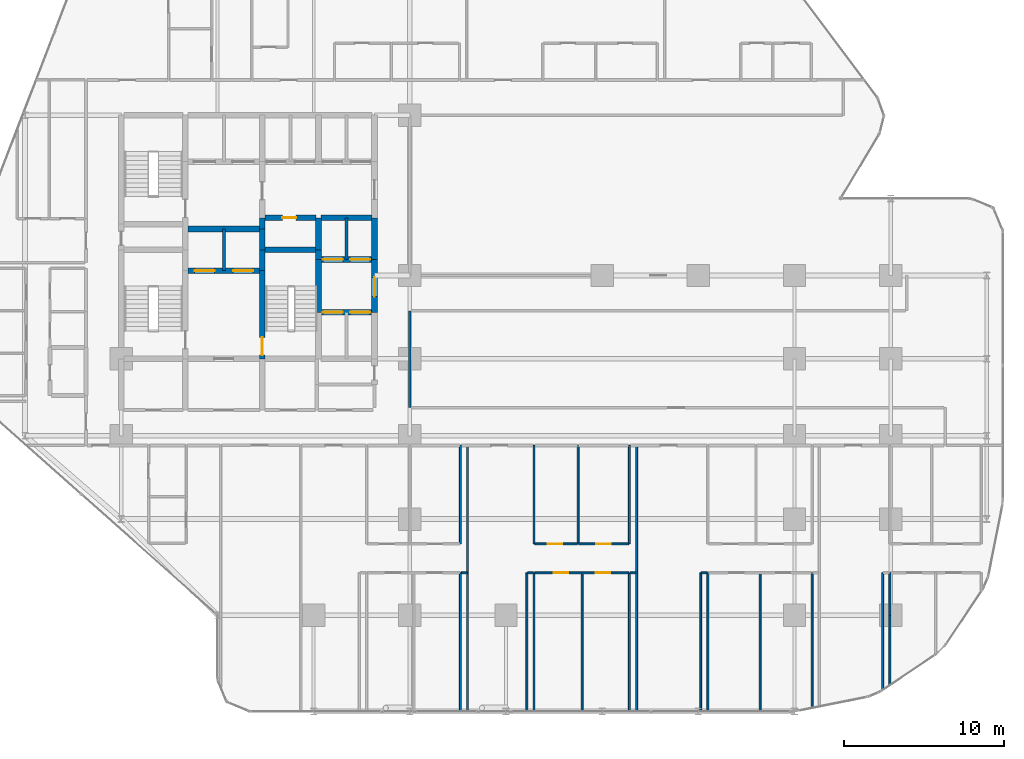
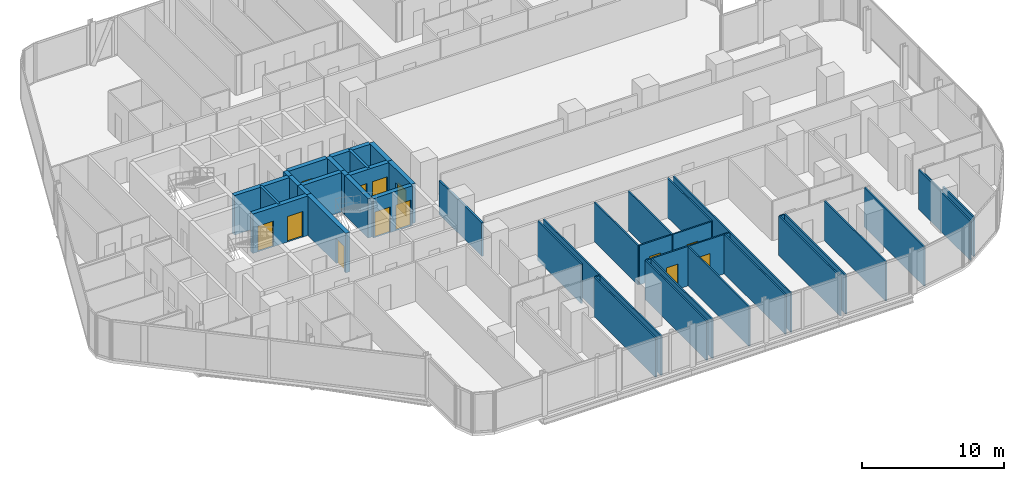
# One storey, part 28 of 33: 44 walls, 13 doors, 13 openings.
"""IFC4 building model written with IfcOpenShell, lengths in metres."""

from ifc_helpers import new_model, si_unit, direction, frame, frame_2d, origin, place, context, subcontext, project, spatial, rectangle, extrude, material, layer, layer_set, type_object, element, fill, save


model = new_model("IFC4")

# Units and contexts
model_context = context("Model", 3, precision=1e-05, world=origin(), true_north=direction((0.0, 1.0)))
body_context = subcontext(model_context, "Body", "Model", "MODEL_VIEW")
ifc_project = project(units=[si_unit("LENGTHUNIT", "METRE"), si_unit("AREAUNIT", "SQUARE_METRE"), si_unit("VOLUMEUNIT", "CUBIC_METRE"), si_unit("PLANEANGLEUNIT", "RADIAN"), si_unit("MASSUNIT", "GRAM", prefix="KILO")], contexts=[model_context])

# Site, building, storey
site_placement = place(None, origin())
site = spatial("IfcSite", under=ifc_project, at=site_placement, CompositionType="ELEMENT")
building_placement = place(site_placement, origin())
building = spatial("IfcBuilding", under=site, at=building_placement, Name="Keshet Zoharim Tower", CompositionType="ELEMENT")
storey_placement = place(building_placement, frame((0.0, 0.0, 42.5)))
storey = spatial("IfcBuildingStorey", under=building, at=storey_placement, Name="L09", CompositionType="ELEMENT", Elevation=42.5)

# Wall
ifc_material_1 = material(Name="Gypsum Plasterboard", Category="gypsum")
ifc_layer_1 = layer(ifc_material_1, 0.14990234375)
ifc_layer_set_1 = layer_set([ifc_layer_1], Name="Gypsum Plasterboard")
wall_type_1 = type_object("IfcWallType", Name="WL-CLIN-150", PredefinedType="STANDARD", material=ifc_layer_set_1)
wall_1_placement = place(storey_placement, frame((33.0, 19.659912109375, 0.0), z_axis=(0.0, 0.0, 1.0), x_axis=(0.0, 1.0, 0.0)))
element("IfcWall", 1, at=wall_1_placement, inside=storey, type_object=wall_type_1, Name="L09 Interior Wall 071", PredefinedType="STANDARD", context=body_context, shape_type="SweptSolid", body=[
    extrude(rectangle(XDim=6.030029296875, YDim=0.14990234375, at=frame_2d((3.01513671875, 0.0))), origin(), (0.0, 0.0, 1.0), 2.885009765625),
])

# Wall, opening, door
ifc_material_2 = material(Name="Concrete C60/75", Category="concrete")
ifc_layer_2 = layer(ifc_material_2, 0.35009765625)
ifc_layer_set_2 = layer_set([ifc_layer_2], Name="Concrete C60/75")
wall_type_2 = type_object("IfcWallType", Name="WL-CORE-350", PredefinedType="SHEAR", material=ifc_layer_set_2)
wall_2_placement = place(storey_placement, frame((23.800048828125, 22.699951171875, 0.0), z_axis=(0.0, 0.0, 1.0), x_axis=(0.0, 1.0, 0.0)))
wall_2 = element("IfcWall", 2, at=wall_2_placement, inside=storey, type_object=wall_type_2, Name="L09 Core Shear Wall 036", PredefinedType="SHEAR", context=body_context, shape_type="SweptSolid", body=[
    extrude(rectangle(XDim=5.5, YDim=0.35009765625, at=frame_2d((2.75, 0.0))), origin(), (0.0, 0.0, 1.0), 3.385009765625),
])
opening_1_placement = place(wall_2_placement, frame((0.235107421875, 0.0, 0.0)))
opening_1 = element("IfcOpeningElement", 3, at=opening_1_placement, cuts=wall_2, Name="Opening D-F611", PredefinedType="OPENING", context=body_context, shape_type="SweptSolid", body=[
    extrude(rectangle(XDim=1.10009765625, YDim=2.14990234375, at=frame_2d((0.550048828125, 1.074951171875))), frame((0.0, 0.18505859375, 0.0), z_axis=(0.0, -1.0, 0.0), x_axis=(1.0, 0.0, 0.0)), (0.0, 0.0, 1.0), 0.3701171875),
])
ifc_material_3 = material(Name="Hardwood Timber", Category="wood")
door_type_1 = type_object("IfcDoorType", Name="DR-FD60-110", OperationType="NOTDEFINED", PredefinedType="DOOR", material=ifc_material_3)
door_1_placement = place(opening_1_placement, frame((1.10009765625, 0.0, 0.0), z_axis=(0.0, 0.0, 1.0), x_axis=(-1.0, 0.0, 0.0)))
door_1 = element("IfcDoor", 4, at=door_1_placement, inside=storey, type_object=door_type_1, Name="L09 Exit Stair ST-03 Fire Door", OperationType="SINGLE_SWING_LEFT", OverallHeight=2.14990234375, OverallWidth=1.10009765625, PredefinedType="DOOR", context=body_context, shape_type="SweptSolid", body=[
    extrude(rectangle(XDim=1.10009765625, YDim=2.14990234375, at=frame_2d((0.550048828125, 1.074951171875))), frame((0.0, 0.02490234375, 0.0), z_axis=(0.0, -1.0, 0.0), x_axis=(1.0, 0.0, 0.0)), (0.0, 0.0, 1.0), 0.050048828125),
])
fill(opening_1, door_1)

# Walls
for number, where, z_axis, x_axis, name in (
    (5, (23.800048828125, 28.199951171875, 0.0), (0.0, 0.0, 1.0), (0.0, 1.0, 0.0), "L09 Core Shear Wall 037"),
    (6, (23.800048828125, 29.5, 0.0), (0.0, 0.0, 1.0), (0.0, 1.0, 0.0), "L09 Core Shear Wall 038"),
):
    element("IfcWall", number, at=place(storey_placement, frame(where, z_axis=z_axis, x_axis=x_axis)), inside=storey, type_object=wall_type_2, Name=name, PredefinedType="SHEAR", context=body_context, shape_type="SweptSolid", body=[
        extrude(rectangle(XDim=1.300048828125, YDim=0.35009765625, at=frame_2d((0.64990234375, 0.0))), origin(), (0.0, 0.0, 1.0), 3.385009765625),
    ])
wall_3_placement = place(storey_placement, frame((23.800048828125, 30.800048828125, 0.0), z_axis=(0.0, 0.0, 1.0), x_axis=(0.0, 1.0, 0.0)))
element("IfcWall", 7, at=wall_3_placement, inside=storey, type_object=wall_type_2, Name="L09 Core Shear Wall 039", PredefinedType="SHEAR", context=body_context, shape_type="SweptSolid", body=[
    extrude(rectangle(XDim=0.699951171875, YDim=0.35009765625, at=frame_2d((0.35009765625, 0.0))), origin(), (0.0, 0.0, 1.0), 3.385009765625),
])
wall_4_placement = place(storey_placement, frame((27.300048828125, 25.60009765625, 0.0), z_axis=(0.0, 0.0, 1.0), x_axis=(0.0, 1.0, 0.0)))
element("IfcWall", 8, at=wall_4_placement, inside=storey, type_object=wall_type_2, Name="L09 Core Shear Wall 048", PredefinedType="SHEAR", context=body_context, shape_type="SweptSolid", body=[
    extrude(rectangle(XDim=3.2998046875, YDim=0.35009765625, at=frame_2d((1.64990234375, 0.0))), origin(), (0.0, 0.0, 1.0), 3.385009765625),
])
wall_5_placement = place(storey_placement, frame((27.300048828125, 28.89990234375, 0.0), z_axis=(0.0, 0.0, 1.0), x_axis=(0.0, 1.0, 0.0)))
element("IfcWall", 9, at=wall_5_placement, inside=storey, type_object=wall_type_2, Name="L09 Core Shear Wall 049", PredefinedType="SHEAR", context=body_context, shape_type="SweptSolid", body=[
    extrude(rectangle(XDim=0.60009765625, YDim=0.35009765625, at=frame_2d((0.300048828125, 0.0))), origin(), (0.0, 0.0, 1.0), 3.385009765625),
])
wall_6_placement = place(storey_placement, frame((27.300048828125, 29.5, 0.0), z_axis=(0.0, 0.0, 1.0), x_axis=(0.0, 1.0, 0.0)))
element("IfcWall", 10, at=wall_6_placement, inside=storey, type_object=wall_type_2, Name="L09 Core Shear Wall 050", PredefinedType="SHEAR", context=body_context, shape_type="SweptSolid", body=[
    extrude(rectangle(XDim=2.0, YDim=0.35009765625, at=frame_2d((1.0, 0.0))), origin(), (0.0, 0.0, 1.0), 3.385009765625),
])

# Wall, opening, door
wall_7_placement = place(storey_placement, frame((30.800048828125, 25.60009765625, 0.0), z_axis=(0.0, 0.0, 1.0), x_axis=(0.0, 1.0, 0.0)))
wall_7 = element("IfcWall", 11, at=wall_7_placement, inside=storey, type_object=wall_type_2, Name="L09 Core Shear Wall 064", PredefinedType="SHEAR", context=body_context, shape_type="SweptSolid", body=[
    extrude(rectangle(XDim=3.2998046875, YDim=0.35009765625, at=frame_2d((1.64990234375, 0.0))), origin(), (0.0, 0.0, 1.0), 3.385009765625),
])
opening_2_placement = place(wall_7_placement, frame((0.97802734375, 0.0, 0.0)))
opening_2 = element("IfcOpeningElement", 12, at=opening_2_placement, cuts=wall_7, Name="Opening D-F612", PredefinedType="OPENING", context=body_context, shape_type="SweptSolid", body=[
    extrude(rectangle(XDim=1.199951171875, YDim=2.199951171875, at=frame_2d((0.60009765625, 1.10009765625))), frame((0.0, 0.18505859375, 0.0), z_axis=(0.0, -1.0, 0.0), x_axis=(1.0, 0.0, 0.0)), (0.0, 0.0, 1.0), 0.3701171875),
])
door_type_2 = type_object("IfcDoorType", Name="DR-FD60-120", OperationType="NOTDEFINED", PredefinedType="DOOR", material=ifc_material_3)
door_2_placement = place(opening_2_placement, origin())
door_2 = element("IfcDoor", 13, at=door_2_placement, inside=storey, type_object=door_type_2, Name="L09 East Lift Lobby Fire Door", OperationType="SINGLE_SWING_RIGHT", OverallHeight=2.199951171875, OverallWidth=1.199951171875, PredefinedType="DOOR", context=body_context, shape_type="SweptSolid", body=[
    extrude(rectangle(XDim=1.199951171875, YDim=2.199951171875, at=frame_2d((0.60009765625, 1.10009765625))), frame((0.0, 0.02490234375, 0.0), z_axis=(0.0, -1.0, 0.0), x_axis=(1.0, 0.0, 0.0)), (0.0, 0.0, 1.0), 0.050048828125),
])
fill(opening_2, door_2)

# Wall
wall_8_placement = place(storey_placement, frame((30.800048828125, 28.89990234375, 0.0), z_axis=(0.0, 0.0, 1.0), x_axis=(0.0, 1.0, 0.0)))
element("IfcWall", 14, at=wall_8_placement, inside=storey, type_object=wall_type_2, Name="L09 Core Shear Wall 065", PredefinedType="SHEAR", context=body_context, shape_type="SweptSolid", body=[
    extrude(rectangle(XDim=2.60009765625, YDim=0.35009765625, at=frame_2d((1.300048828125, 0.0))), origin(), (0.0, 0.0, 1.0), 3.385009765625),
])

# Wall, openings, doors
wall_9_placement = place(storey_placement, frame((27.4599609375, 25.60009765625, 0.0), z_axis=(0.0, 0.0, 1.0), x_axis=(1.0, 0.0, 0.0)))
wall_9 = element("IfcWall", 15, at=wall_9_placement, inside=storey, type_object=wall_type_2, Name="L09 Core Shear Wall 175", PredefinedType="SHEAR", context=body_context, shape_type="SweptSolid", body=[
    extrude(rectangle(XDim=3.179931640625, YDim=0.35009765625, at=frame_2d((1.58984375, 0.0))), origin(), (0.0, 0.0, 1.0), 3.385009765625),
])
opening_3_placement = place(wall_9_placement, frame((0.1201171875, 0.0, 0.0)))
opening_3 = element("IfcOpeningElement", 16, at=opening_3_placement, cuts=wall_9, Name="Opening LD-01", PredefinedType="OPENING", context=body_context, shape_type="SweptSolid", body=[
    extrude(rectangle(XDim=1.25, YDim=2.199951171875, at=frame_2d((0.625, 1.10009765625))), frame((0.0, 0.18505859375, 0.0), z_axis=(0.0, -1.0, 0.0), x_axis=(1.0, 0.0, 0.0)), (0.0, 0.0, 1.0), 0.3701171875),
])
opening_4_placement = place(wall_9_placement, frame((1.81005859375, 0.0, 0.0)))
opening_4 = element("IfcOpeningElement", 17, at=opening_4_placement, cuts=wall_9, Name="Opening LD-01", PredefinedType="OPENING", context=body_context, shape_type="SweptSolid", body=[
    extrude(rectangle(XDim=1.25, YDim=2.199951171875, at=frame_2d((0.625, 1.10009765625))), frame((0.0, 0.18505859375, 0.0), z_axis=(0.0, -1.0, 0.0), x_axis=(1.0, 0.0, 0.0)), (0.0, 0.0, 1.0), 0.3701171875),
])
ifc_material_4 = material(Name="Steel S355", Category="steel")
door_type_3 = type_object("IfcDoorType", Name="DR-LD01-125", OperationType="DOUBLE_DOOR_SLIDING", PredefinedType="DOOR", material=ifc_material_4)
door_3_placement = place(opening_3_placement, origin())
door_3 = element("IfcDoor", 18, at=door_3_placement, inside=storey, type_object=door_type_3, Name="L09 Passenger Lift Landing Door LF-07", OperationType="DOUBLE_DOOR_SLIDING", OverallHeight=2.199951171875, OverallWidth=1.25, PredefinedType="DOOR", context=body_context, shape_type="SweptSolid", body=[
    extrude(rectangle(XDim=1.25, YDim=2.199951171875, at=frame_2d((0.625, 1.10009765625))), frame((0.0, 0.02490234375, 0.0), z_axis=(0.0, -1.0, 0.0), x_axis=(1.0, 0.0, 0.0)), (0.0, 0.0, 1.0), 0.050048828125),
])
fill(opening_3, door_3)
door_4_placement = place(opening_4_placement, origin())
door_4 = element("IfcDoor", 19, at=door_4_placement, inside=storey, type_object=door_type_3, Name="L09 Passenger Lift Landing Door LF-08", OperationType="DOUBLE_DOOR_SLIDING", OverallHeight=2.199951171875, OverallWidth=1.25, PredefinedType="DOOR", context=body_context, shape_type="SweptSolid", body=[
    extrude(rectangle(XDim=1.25, YDim=2.199951171875, at=frame_2d((0.625, 1.10009765625))), frame((0.0, 0.02490234375, 0.0), z_axis=(0.0, -1.0, 0.0), x_axis=(1.0, 0.0, 0.0)), (0.0, 0.0, 1.0), 0.050048828125),
])
fill(opening_4, door_4)

wall_10_placement = place(storey_placement, frame((19.159912109375, 28.199951171875, 0.0), z_axis=(0.0, 0.0, 1.0), x_axis=(1.0, 0.0, 0.0)))
wall_10 = element("IfcWall", 20, at=wall_10_placement, inside=storey, type_object=wall_type_2, Name="L09 Core Shear Wall 180", PredefinedType="SHEAR", context=body_context, shape_type="SweptSolid", body=[
    extrude(rectangle(XDim=4.47998046875, YDim=0.35009765625, at=frame_2d((2.239990234375, 0.0))), origin(), (0.0, 0.0, 1.0), 3.385009765625),
])
opening_5_placement = place(wall_10_placement, frame((0.4150390625, 0.0, 0.0)))
opening_5 = element("IfcOpeningElement", 21, at=opening_5_placement, cuts=wall_10, Name="Opening LD-01", PredefinedType="OPENING", context=body_context, shape_type="SweptSolid", body=[
    extrude(rectangle(XDim=1.25, YDim=2.199951171875, at=frame_2d((0.625, 1.10009765625))), frame((0.0, 0.18505859375, 0.0), z_axis=(0.0, -1.0, 0.0), x_axis=(1.0, 0.0, 0.0)), (0.0, 0.0, 1.0), 0.3701171875),
])
opening_6_placement = place(wall_10_placement, frame((2.81494140625, 0.0, 0.0)))
opening_6 = element("IfcOpeningElement", 22, at=opening_6_placement, cuts=wall_10, Name="Opening LD-01", PredefinedType="OPENING", context=body_context, shape_type="SweptSolid", body=[
    extrude(rectangle(XDim=1.25, YDim=2.199951171875, at=frame_2d((0.625, 1.10009765625))), frame((0.0, 0.18505859375, 0.0), z_axis=(0.0, -1.0, 0.0), x_axis=(1.0, 0.0, 0.0)), (0.0, 0.0, 1.0), 0.3701171875),
])
door_5_placement = place(opening_5_placement, origin())
door_5 = element("IfcDoor", 23, at=door_5_placement, inside=storey, type_object=door_type_3, Name="L09 Passenger Lift Landing Door LF-09", OperationType="DOUBLE_DOOR_SLIDING", OverallHeight=2.199951171875, OverallWidth=1.25, PredefinedType="DOOR", context=body_context, shape_type="SweptSolid", body=[
    extrude(rectangle(XDim=1.25, YDim=2.199951171875, at=frame_2d((0.625, 1.10009765625))), frame((0.0, 0.02490234375, 0.0), z_axis=(0.0, -1.0, 0.0), x_axis=(1.0, 0.0, 0.0)), (0.0, 0.0, 1.0), 0.050048828125),
])
fill(opening_5, door_5)
door_6_placement = place(opening_6_placement, origin())
door_6 = element("IfcDoor", 24, at=door_6_placement, inside=storey, type_object=door_type_3, Name="L09 Passenger Lift Landing Door LF-10", OperationType="DOUBLE_DOOR_SLIDING", OverallHeight=2.199951171875, OverallWidth=1.25, PredefinedType="DOOR", context=body_context, shape_type="SweptSolid", body=[
    extrude(rectangle(XDim=1.25, YDim=2.199951171875, at=frame_2d((0.625, 1.10009765625))), frame((0.0, 0.02490234375, 0.0), z_axis=(0.0, -1.0, 0.0), x_axis=(1.0, 0.0, 0.0)), (0.0, 0.0, 1.0), 0.050048828125),
])
fill(opening_6, door_6)

wall_11_placement = place(storey_placement, frame((27.4599609375, 28.89990234375, 0.0), z_axis=(0.0, 0.0, 1.0), x_axis=(1.0, 0.0, 0.0)))
wall_11 = element("IfcWall", 25, at=wall_11_placement, inside=storey, type_object=wall_type_2, Name="L09 Core Shear Wall 185", PredefinedType="SHEAR", context=body_context, shape_type="SweptSolid", body=[
    extrude(rectangle(XDim=3.179931640625, YDim=0.35009765625, at=frame_2d((1.58984375, 0.0))), origin(), (0.0, 0.0, 1.0), 3.385009765625),
])
opening_7_placement = place(wall_11_placement, frame((0.1201171875, 0.0, 0.0)))
opening_7 = element("IfcOpeningElement", 26, at=opening_7_placement, cuts=wall_11, Name="Opening LD-01", PredefinedType="OPENING", context=body_context, shape_type="SweptSolid", body=[
    extrude(rectangle(XDim=1.25, YDim=2.199951171875, at=frame_2d((0.625, 1.10009765625))), frame((0.0, 0.18505859375, 0.0), z_axis=(0.0, -1.0, 0.0), x_axis=(1.0, 0.0, 0.0)), (0.0, 0.0, 1.0), 0.3701171875),
])
opening_8_placement = place(wall_11_placement, frame((1.81005859375, 0.0, 0.0)))
opening_8 = element("IfcOpeningElement", 27, at=opening_8_placement, cuts=wall_11, Name="Opening LD-01", PredefinedType="OPENING", context=body_context, shape_type="SweptSolid", body=[
    extrude(rectangle(XDim=1.25, YDim=2.199951171875, at=frame_2d((0.625, 1.10009765625))), frame((0.0, 0.18505859375, 0.0), z_axis=(0.0, -1.0, 0.0), x_axis=(1.0, 0.0, 0.0)), (0.0, 0.0, 1.0), 0.3701171875),
])
door_7_placement = place(opening_7_placement, origin())
door_7 = element("IfcDoor", 28, at=door_7_placement, inside=storey, type_object=door_type_3, Name="L09 Passenger Lift Landing Door LF-05", OperationType="DOUBLE_DOOR_SLIDING", OverallHeight=2.199951171875, OverallWidth=1.25, PredefinedType="DOOR", context=body_context, shape_type="SweptSolid", body=[
    extrude(rectangle(XDim=1.25, YDim=2.199951171875, at=frame_2d((0.625, 1.10009765625))), frame((0.0, 0.02490234375, 0.0), z_axis=(0.0, -1.0, 0.0), x_axis=(1.0, 0.0, 0.0)), (0.0, 0.0, 1.0), 0.050048828125),
])
fill(opening_7, door_7)
door_8_placement = place(opening_8_placement, origin())
door_8 = element("IfcDoor", 29, at=door_8_placement, inside=storey, type_object=door_type_3, Name="L09 Passenger Lift Landing Door LF-06", OperationType="DOUBLE_DOOR_SLIDING", OverallHeight=2.199951171875, OverallWidth=1.25, PredefinedType="DOOR", context=body_context, shape_type="SweptSolid", body=[
    extrude(rectangle(XDim=1.25, YDim=2.199951171875, at=frame_2d((0.625, 1.10009765625))), frame((0.0, 0.02490234375, 0.0), z_axis=(0.0, -1.0, 0.0), x_axis=(1.0, 0.0, 0.0)), (0.0, 0.0, 1.0), 0.050048828125),
])
fill(opening_8, door_8)

# Walls
wall_12_placement = place(storey_placement, frame((23.9599609375, 29.5, 0.0), z_axis=(0.0, 0.0, 1.0), x_axis=(1.0, 0.0, 0.0)))
element("IfcWall", 30, at=wall_12_placement, inside=storey, type_object=wall_type_2, Name="L09 Core Shear Wall 187", PredefinedType="SHEAR", context=body_context, shape_type="SweptSolid", body=[
    extrude(rectangle(XDim=3.179931640625, YDim=0.35009765625, at=frame_2d((1.58984375, 0.0))), origin(), (0.0, 0.0, 1.0), 3.385009765625),
])
wall_13_placement = place(storey_placement, frame((19.159912109375, 30.800048828125, 0.0), z_axis=(0.0, 0.0, 1.0), x_axis=(1.0, 0.0, 0.0)))
element("IfcWall", 31, at=wall_13_placement, inside=storey, type_object=wall_type_2, Name="L09 Core Shear Wall 188", PredefinedType="SHEAR", context=body_context, shape_type="SweptSolid", body=[
    extrude(rectangle(XDim=4.47998046875, YDim=0.35009765625, at=frame_2d((2.239990234375, 0.0))), origin(), (0.0, 0.0, 1.0), 3.385009765625),
])

# Wall, opening, door
wall_14_placement = place(storey_placement, frame((23.9599609375, 31.5, 0.0), z_axis=(0.0, 0.0, 1.0), x_axis=(1.0, 0.0, 0.0)))
wall_14 = element("IfcWall", 32, at=wall_14_placement, inside=storey, type_object=wall_type_2, Name="L09 Core Shear Wall 192", PredefinedType="SHEAR", context=body_context, shape_type="SweptSolid", body=[
    extrude(rectangle(XDim=3.179931640625, YDim=0.35009765625, at=frame_2d((1.58984375, 0.0))), origin(), (0.0, 0.0, 1.0), 3.385009765625),
])
opening_9_placement = place(wall_14_placement, frame((1.093994140625, 0.0, 0.0)))
opening_9 = element("IfcOpeningElement", 33, at=opening_9_placement, cuts=wall_14, Name="Opening D-RS85", PredefinedType="OPENING", context=body_context, shape_type="SweptSolid", body=[
    extrude(rectangle(XDim=0.85009765625, YDim=2.10009765625, at=frame_2d((0.425048828125, 1.050048828125))), frame((0.0, 0.18505859375, 0.0), z_axis=(0.0, -1.0, 0.0), x_axis=(1.0, 0.0, 0.0)), (0.0, 0.0, 1.0), 0.3701171875),
])
door_type_4 = type_object("IfcDoorType", Name="DR-RIS-085", OperationType="NOTDEFINED", PredefinedType="DOOR", material=ifc_material_3)
door_9_placement = place(opening_9_placement, origin())
door_9 = element("IfcDoor", 34, at=door_9_placement, inside=storey, type_object=door_type_4, Name="L09 Telecom Riser Access Cupboard Door", OperationType="SINGLE_SWING_LEFT", OverallHeight=2.10009765625, OverallWidth=0.85009765625, PredefinedType="DOOR", context=body_context, shape_type="SweptSolid", body=[
    extrude(rectangle(XDim=0.85009765625, YDim=2.10009765625, at=frame_2d((0.425048828125, 1.050048828125))), frame((0.0, 0.02490234375, 0.0), z_axis=(0.0, -1.0, 0.0), x_axis=(1.0, 0.0, 0.0)), (0.0, 0.0, 1.0), 0.050048828125),
])
fill(opening_9, door_9)

# Walls
wall_15_placement = place(storey_placement, frame((27.4599609375, 31.5, 0.0), z_axis=(0.0, 0.0, 1.0), x_axis=(1.0, 0.0, 0.0)))
element("IfcWall", 35, at=wall_15_placement, inside=storey, type_object=wall_type_2, Name="L09 Core Shear Wall 193", PredefinedType="SHEAR", context=body_context, shape_type="SweptSolid", body=[
    extrude(rectangle(XDim=3.179931640625, YDim=0.35009765625, at=frame_2d((1.58984375, 0.0))), origin(), (0.0, 0.0, 1.0), 3.385009765625),
])
ifc_material_5 = material(Name="Concrete C50/60", Category="concrete")
ifc_layer_3 = layer(ifc_material_5, 0.199951171875)
ifc_layer_set_3 = layer_set([ifc_layer_3], Name="Concrete C50/60")
wall_type_3 = type_object("IfcWallType", Name="WL-FIRE-200", PredefinedType="STANDARD", material=ifc_layer_set_3)
for number, where, z_axis, x_axis, name in (
    (36, (21.39990234375, 28.199951171875, 0.0), (0.0, 0.0, 1.0), (0.0, 1.0, 0.0), "L09 Interior Wall 031"),
    (37, (29.050048828125, 28.89990234375, 0.0), (0.0, 0.0, 1.0), (0.0, 1.0, 0.0), "L09 Interior Wall 056"),
):
    element("IfcWall", number, at=place(storey_placement, frame(where, z_axis=z_axis, x_axis=x_axis)), inside=storey, type_object=wall_type_3, Name=name, PredefinedType="STANDARD", context=body_context, shape_type="SweptSolid", body=[
        extrude(rectangle(XDim=2.60009765625, YDim=0.199951171875, at=frame_2d((1.300048828125, 0.0))), origin(), (0.0, 0.0, 1.0), 3.385009765625),
    ])
ifc_layer_4 = layer(ifc_material_1, 0.1201171875)
ifc_layer_set_4 = layer_set([ifc_layer_4], Name="Gypsum Plasterboard")
wall_type_4 = type_object("IfcWallType", Name="WL-PART-120", PredefinedType="PARTITIONING", material=ifc_layer_set_4)
wall_16_placement = place(storey_placement, frame((36.14990234375, 0.7099609375, 0.0), z_axis=(0.0, 0.0, 1.0), x_axis=(0.0, 1.0, 0.0)))
element("IfcWall", 38, at=wall_16_placement, inside=storey, type_object=wall_type_4, Name="L09 Interior Wall 077", PredefinedType="PARTITIONING", context=body_context, shape_type="SweptSolid", body=[
    extrude(rectangle(XDim=8.64013671875, YDim=0.1201171875, at=frame_2d((4.320068359375, 0.0))), origin(), (0.0, 0.0, 1.0), 3.385009765625),
])
wall_17_placement = place(storey_placement, frame((36.60009765625, 0.7099609375, 0.0), z_axis=(0.0, 0.0, 1.0), x_axis=(0.0, 1.0, 0.0)))
element("IfcWall", 39, at=wall_17_placement, inside=storey, type_object=wall_type_4, Name="L09 Interior Wall 080", PredefinedType="PARTITIONING", context=body_context, shape_type="SweptSolid", body=[
    extrude(rectangle(XDim=16.590087890625, YDim=0.1201171875, at=frame_2d((8.294921875, 0.0))), origin(), (0.0, 0.0, 1.0), 3.385009765625),
])
for number, where, z_axis, x_axis, name in (
    (40, (40.300048828125, 0.7099609375, 0.0), (0.0, 0.0, 1.0), (0.0, 1.0, 0.0), "L09 Interior Wall 081"),
    (41, (40.75, 0.7099609375, 0.0), (0.0, 0.0, 1.0), (0.0, 1.0, 0.0), "L09 Interior Wall 082"),
):
    element("IfcWall", number, at=place(storey_placement, frame(where, z_axis=z_axis, x_axis=x_axis)), inside=storey, type_object=wall_type_4, Name=name, PredefinedType="PARTITIONING", context=body_context, shape_type="SweptSolid", body=[
        extrude(rectangle(XDim=8.64013671875, YDim=0.1201171875, at=frame_2d((4.320068359375, 0.0))), origin(), (0.0, 0.0, 1.0), 3.385009765625),
    ])
wall_18_placement = place(storey_placement, frame((40.75, 11.14990234375, 0.0), z_axis=(0.0, 0.0, 1.0), x_axis=(0.0, 1.0, 0.0)))
element("IfcWall", 42, at=wall_18_placement, inside=storey, type_object=wall_type_4, Name="L09 Interior Wall 083", PredefinedType="PARTITIONING", context=body_context, shape_type="SweptSolid", body=[
    extrude(rectangle(XDim=6.150146484375, YDim=0.1201171875, at=frame_2d((3.0751953125, 0.0))), origin(), (0.0, 0.0, 1.0), 3.385009765625),
])
for number, where, z_axis, x_axis, name in (
    (43, (43.75, 0.7099609375, 0.0), (0.0, 0.0, 1.0), (0.0, 1.0, 0.0), "L09 Interior Wall 089"),
    (44, (46.699951171875, 0.7099609375, 0.0), (0.0, 0.0, 1.0), (0.0, 1.0, 0.0), "L09 Interior Wall 092"),
):
    element("IfcWall", number, at=place(storey_placement, frame(where, z_axis=z_axis, x_axis=x_axis)), inside=storey, type_object=wall_type_4, Name=name, PredefinedType="PARTITIONING", context=body_context, shape_type="SweptSolid", body=[
        extrude(rectangle(XDim=8.64013671875, YDim=0.1201171875, at=frame_2d((4.320068359375, 0.0))), origin(), (0.0, 0.0, 1.0), 3.385009765625),
    ])
wall_19_placement = place(storey_placement, frame((47.14990234375, 0.7099609375, 0.0), z_axis=(0.0, 0.0, 1.0), x_axis=(0.0, 1.0, 0.0)))
element("IfcWall", 45, at=wall_19_placement, inside=storey, type_object=wall_type_4, Name="L09 Interior Wall 094", PredefinedType="PARTITIONING", context=body_context, shape_type="SweptSolid", body=[
    extrude(rectangle(XDim=16.590087890625, YDim=0.1201171875, at=frame_2d((8.294921875, 0.0))), origin(), (0.0, 0.0, 1.0), 3.385009765625),
])
for number, where, z_axis, x_axis, name in (
    (46, (51.14990234375, 0.7099609375, 0.0), (0.0, 0.0, 1.0), (0.0, 1.0, 0.0), "L09 Interior Wall 098"),
    (47, (51.60009765625, 0.7099609375, 0.0), (0.0, 0.0, 1.0), (0.0, 1.0, 0.0), "L09 Interior Wall 099"),
    (48, (54.85009765625, 0.7099609375, 0.0), (0.0, 0.0, 1.0), (0.0, 1.0, 0.0), "L09 Interior Wall 104"),
):
    element("IfcWall", number, at=place(storey_placement, frame(where, z_axis=z_axis, x_axis=x_axis)), inside=storey, type_object=wall_type_4, Name=name, PredefinedType="PARTITIONING", context=body_context, shape_type="SweptSolid", body=[
        extrude(rectangle(XDim=8.64013671875, YDim=0.1201171875, at=frame_2d((4.320068359375, 0.0))), origin(), (0.0, 0.0, 1.0), 3.385009765625),
    ])
wall_20_placement = place(storey_placement, frame((58.10009765625, 0.927978515625, 0.0), z_axis=(0.0, 0.0, 1.0), x_axis=(0.0, 1.0, 0.0)))
element("IfcWall", 49, at=wall_20_placement, inside=storey, type_object=wall_type_4, Name="L09 Interior Wall 107", PredefinedType="PARTITIONING", context=body_context, shape_type="SweptSolid", body=[
    extrude(rectangle(XDim=8.422119140625, YDim=0.1201171875, at=frame_2d((4.2109375, 0.0))), origin(), (0.0, 0.0, 1.0), 3.385009765625),
])
wall_21_placement = place(storey_placement, frame((62.5, 2.051025390625, 0.0), z_axis=(0.0, 0.0, 1.0), x_axis=(0.0, 1.0, 0.0)))
element("IfcWall", 50, at=wall_21_placement, inside=storey, type_object=wall_type_4, Name="L09 Interior Wall 111", PredefinedType="PARTITIONING", context=body_context, shape_type="SweptSolid", body=[
    extrude(rectangle(XDim=7.299072265625, YDim=0.1201171875, at=frame_2d((3.6494140625, 0.0))), origin(), (0.0, 0.0, 1.0), 3.385009765625),
])
wall_22_placement = place(storey_placement, frame((62.949951171875, 2.35107421875, 0.0), z_axis=(0.0, 0.0, 1.0), x_axis=(0.0, 1.0, 0.0)))
element("IfcWall", 51, at=wall_22_placement, inside=storey, type_object=wall_type_4, Name="L09 Interior Wall 112", PredefinedType="PARTITIONING", context=body_context, shape_type="SweptSolid", body=[
    extrude(rectangle(XDim=4.348876953125, YDim=0.1201171875, at=frame_2d((2.17431640625, 0.0))), origin(), (0.0, 0.0, 1.0), 3.385009765625),
])
wall_23_placement = place(storey_placement, frame((36.215087890625, 9.35009765625, 0.0), z_axis=(0.0, 0.0, 1.0), x_axis=(1.0, 0.0, 0.0)))
element("IfcWall", 52, at=wall_23_placement, inside=storey, type_object=wall_type_4, Name="L09 Interior Wall 122", PredefinedType="PARTITIONING", context=body_context, shape_type="SweptSolid", body=[
    extrude(rectangle(XDim=0.35986328125, YDim=0.1201171875, at=frame_2d((0.179931640625, 0.0))), origin(), (0.0, 0.0, 1.0), 3.385009765625),
])
wall_24_placement = place(storey_placement, frame((40.35498046875, 9.35009765625, 0.0), z_axis=(0.0, 0.0, 1.0), x_axis=(1.0, 0.0, 0.0)))
element("IfcWall", 53, at=wall_24_placement, inside=storey, type_object=wall_type_4, Name="L09 Interior Wall 123", PredefinedType="PARTITIONING", context=body_context, shape_type="SweptSolid", body=[
    extrude(rectangle(XDim=0.360107421875, YDim=0.1201171875, at=frame_2d((0.18017578125, 0.0))), origin(), (0.0, 0.0, 1.0), 3.385009765625),
])

# Wall, openings, doors
wall_25_placement = place(storey_placement, frame((40.804931640625, 9.35009765625, 0.0), z_axis=(0.0, 0.0, 1.0), x_axis=(1.0, 0.0, 0.0)))
wall_25 = element("IfcWall", 54, at=wall_25_placement, inside=storey, type_object=wall_type_4, Name="L09 Interior Wall 124", PredefinedType="PARTITIONING", context=body_context, shape_type="SweptSolid", body=[
    extrude(rectangle(XDim=5.85009765625, YDim=0.1201171875, at=frame_2d((2.925048828125, 0.0))), origin(), (0.0, 0.0, 1.0), 3.385009765625),
])
opening_10_placement = place(wall_25_placement, frame((1.1650390625, 0.0, 0.0)))
opening_10 = element("IfcOpeningElement", 55, at=opening_10_placement, cuts=wall_25, Name="Opening D-IN90", PredefinedType="OPENING", context=body_context, shape_type="SweptSolid", body=[
    extrude(rectangle(XDim=0.89990234375, YDim=2.14990234375, at=frame_2d((0.449951171875, 1.074951171875))), frame((0.0, 0.070068359375, 0.0), z_axis=(0.0, -1.0, 0.0), x_axis=(1.0, 0.0, 0.0)), (0.0, 0.0, 1.0), 0.14013671875),
])
opening_11_placement = place(wall_25_placement, frame((3.784912109375, 0.0, 0.0)))
opening_11 = element("IfcOpeningElement", 56, at=opening_11_placement, cuts=wall_25, Name="Opening D-IN90", PredefinedType="OPENING", context=body_context, shape_type="SweptSolid", body=[
    extrude(rectangle(XDim=0.89990234375, YDim=2.14990234375, at=frame_2d((0.449951171875, 1.074951171875))), frame((0.0, 0.070068359375, 0.0), z_axis=(0.0, -1.0, 0.0), x_axis=(1.0, 0.0, 0.0)), (0.0, 0.0, 1.0), 0.14013671875),
])
door_type_5 = type_object("IfcDoorType", Name="DR-INT-090", OperationType="NOTDEFINED", PredefinedType="DOOR", material=ifc_material_3)
door_10_placement = place(opening_10_placement, origin())
door_10 = element("IfcDoor", 57, at=door_10_placement, inside=storey, type_object=door_type_5, Name="Apartment 0903 Bedroom 1 Door", OperationType="SINGLE_SWING_RIGHT", OverallHeight=2.14990234375, OverallWidth=0.89990234375, PredefinedType="DOOR", context=body_context, shape_type="SweptSolid", body=[
    extrude(rectangle(XDim=0.89990234375, YDim=2.14990234375, at=frame_2d((0.449951171875, 1.074951171875))), frame((0.0, 0.02490234375, 0.0), z_axis=(0.0, -1.0, 0.0), x_axis=(1.0, 0.0, 0.0)), (0.0, 0.0, 1.0), 0.050048828125),
])
fill(opening_10, door_10)
door_11_placement = place(opening_11_placement, origin())
door_11 = element("IfcDoor", 58, at=door_11_placement, inside=storey, type_object=door_type_5, Name="Apartment 0903 Bedroom 2 Door", OperationType="SINGLE_SWING_LEFT", OverallHeight=2.14990234375, OverallWidth=0.89990234375, PredefinedType="DOOR", context=body_context, shape_type="SweptSolid", body=[
    extrude(rectangle(XDim=0.89990234375, YDim=2.14990234375, at=frame_2d((0.449951171875, 1.074951171875))), frame((0.0, 0.02490234375, 0.0), z_axis=(0.0, -1.0, 0.0), x_axis=(1.0, 0.0, 0.0)), (0.0, 0.0, 1.0), 0.050048828125),
])
fill(opening_11, door_11)

# Walls
for number, where, z_axis, x_axis, name in (
    (59, (46.7451171875, 9.35009765625, 0.0), (0.0, 0.0, 1.0), (1.0, 0.0, 0.0), "L09 Interior Wall 125"),
    (60, (51.18505859375, 9.35009765625, 0.0), (0.0, 0.0, 1.0), (1.0, 0.0, 0.0), "L09 Interior Wall 126"),
):
    element("IfcWall", number, at=place(storey_placement, frame(where, z_axis=z_axis, x_axis=x_axis)), inside=storey, type_object=wall_type_4, Name=name, PredefinedType="PARTITIONING", context=body_context, shape_type="SweptSolid", body=[
        extrude(rectangle(XDim=0.35986328125, YDim=0.1201171875, at=frame_2d((0.179931640625, 0.0))), origin(), (0.0, 0.0, 1.0), 3.385009765625),
    ])

# Wall, opening, door
wall_26_placement = place(storey_placement, frame((40.804931640625, 11.14990234375, 0.0), z_axis=(0.0, 0.0, 1.0), x_axis=(1.0, 0.0, 0.0)))
wall_26 = element("IfcWall", 61, at=wall_26_placement, inside=storey, type_object=wall_type_4, Name="L09 Interior Wall 133", PredefinedType="PARTITIONING", context=body_context, shape_type="SweptSolid", body=[
    extrude(rectangle(XDim=2.64208984375, YDim=0.1201171875, at=frame_2d((1.321044921875, 0.0))), origin(), (0.0, 0.0, 1.0), 3.385009765625),
])
opening_12_placement = place(wall_26_placement, frame((0.798095703125, 0.0, 0.0)))
opening_12 = element("IfcOpeningElement", 62, at=opening_12_placement, cuts=wall_26, Name="Opening D-IN90", PredefinedType="OPENING", context=body_context, shape_type="SweptSolid", body=[
    extrude(rectangle(XDim=0.89990234375, YDim=2.14990234375, at=frame_2d((0.449951171875, 1.074951171875))), frame((0.0, 0.070068359375, 0.0), z_axis=(0.0, -1.0, 0.0), x_axis=(1.0, 0.0, 0.0)), (0.0, 0.0, 1.0), 0.14013671875),
])
door_12_placement = place(opening_12_placement, origin())
door_12 = element("IfcDoor", 63, at=door_12_placement, inside=storey, type_object=door_type_5, Name="Apartment 0903 Kitchen Door", OperationType="SINGLE_SWING_RIGHT", OverallHeight=2.14990234375, OverallWidth=0.89990234375, PredefinedType="DOOR", context=body_context, shape_type="SweptSolid", body=[
    extrude(rectangle(XDim=0.89990234375, YDim=2.14990234375, at=frame_2d((0.449951171875, 1.074951171875))), frame((0.0, 0.02490234375, 0.0), z_axis=(0.0, -1.0, 0.0), x_axis=(1.0, 0.0, 0.0)), (0.0, 0.0, 1.0), 0.050048828125),
])
fill(opening_12, door_12)

# Walls
wall_27_placement = place(storey_placement, frame((62.949951171875, 6.699951171875, 0.0), z_axis=(0.0, 0.0, 1.0), x_axis=(0.0, 1.0, 0.0)))
element("IfcWall", 64, at=wall_27_placement, inside=storey, type_object=wall_type_4, Name="L09 Interior Wall 112 Part 2", PredefinedType="PARTITIONING", context=body_context, shape_type="SweptSolid", body=[
    extrude(rectangle(XDim=2.650146484375, YDim=0.1201171875, at=frame_2d((1.3251953125, 0.0))), origin(), (0.0, 0.0, 1.0), 2.885009765625),
])
ifc_layer_5 = layer(ifc_material_1, 0.1201171875)
ifc_layer_set_5 = layer_set([ifc_layer_5], Name="Gypsum Plasterboard")
wall_type_5 = type_object("IfcWallType", Name="WL-WET-120", PredefinedType="PARTITIONING", material=ifc_layer_set_5)
for number, where, z_axis, x_axis, name in (
    (65, (36.14990234375, 11.14990234375, 0.0), (0.0, 0.0, 1.0), (0.0, 1.0, 0.0), "L09 Interior Wall 078"),
    (66, (43.5, 11.14990234375, 0.0), (0.0, 0.0, 1.0), (0.0, 1.0, 0.0), "L09 Interior Wall 087"),
    (67, (46.699951171875, 11.14990234375, 0.0), (0.0, 0.0, 1.0), (0.0, 1.0, 0.0), "L09 Interior Wall 093"),
):
    element("IfcWall", number, at=place(storey_placement, frame(where, z_axis=z_axis, x_axis=x_axis)), inside=storey, type_object=wall_type_5, Name=name, PredefinedType="PARTITIONING", context=body_context, shape_type="SweptSolid", body=[
        extrude(rectangle(XDim=6.150146484375, YDim=0.1201171875, at=frame_2d((3.0751953125, 0.0))), origin(), (0.0, 0.0, 1.0), 3.385009765625),
    ])

# Wall, opening, door
wall_28_placement = place(storey_placement, frame((43.537109375, 11.14990234375, 0.0), z_axis=(0.0, 0.0, 1.0), x_axis=(1.0, 0.0, 0.0)))
wall_28 = element("IfcWall", 68, at=wall_28_placement, inside=storey, type_object=wall_type_5, Name="L09 Interior Wall 134", PredefinedType="PARTITIONING", context=body_context, shape_type="SweptSolid", body=[
    extrude(rectangle(XDim=3.117919921875, YDim=0.1201171875, at=frame_2d((1.55908203125, 0.0))), origin(), (0.0, 0.0, 1.0), 3.385009765625),
])
opening_13_placement = place(wall_28_placement, frame((1.10888671875, 0.0, 0.0)))
opening_13 = element("IfcOpeningElement", 69, at=opening_13_placement, cuts=wall_28, Name="Opening D-WT90", PredefinedType="OPENING", context=body_context, shape_type="SweptSolid", body=[
    extrude(rectangle(XDim=0.89990234375, YDim=2.10009765625, at=frame_2d((0.449951171875, 1.050048828125))), frame((0.0, 0.070068359375, 0.0), z_axis=(0.0, -1.0, 0.0), x_axis=(1.0, 0.0, 0.0)), (0.0, 0.0, 1.0), 0.14013671875),
])
door_type_6 = type_object("IfcDoorType", Name="DR-WET-090", OperationType="NOTDEFINED", PredefinedType="DOOR", material=ifc_material_3)
door_13_placement = place(opening_13_placement, origin())
door_13 = element("IfcDoor", 70, at=door_13_placement, inside=storey, type_object=door_type_6, Name="Apartment 0903 Bathroom Door", OperationType="SINGLE_SWING_LEFT", OverallHeight=2.10009765625, OverallWidth=0.89990234375, PredefinedType="DOOR", context=body_context, shape_type="SweptSolid", body=[
    extrude(rectangle(XDim=0.89990234375, YDim=2.10009765625, at=frame_2d((0.449951171875, 1.050048828125))), frame((0.0, 0.02490234375, 0.0), z_axis=(0.0, -1.0, 0.0), x_axis=(1.0, 0.0, 0.0)), (0.0, 0.0, 1.0), 0.050048828125),
])
fill(opening_13, door_13)

save(model, "model.ifc")
